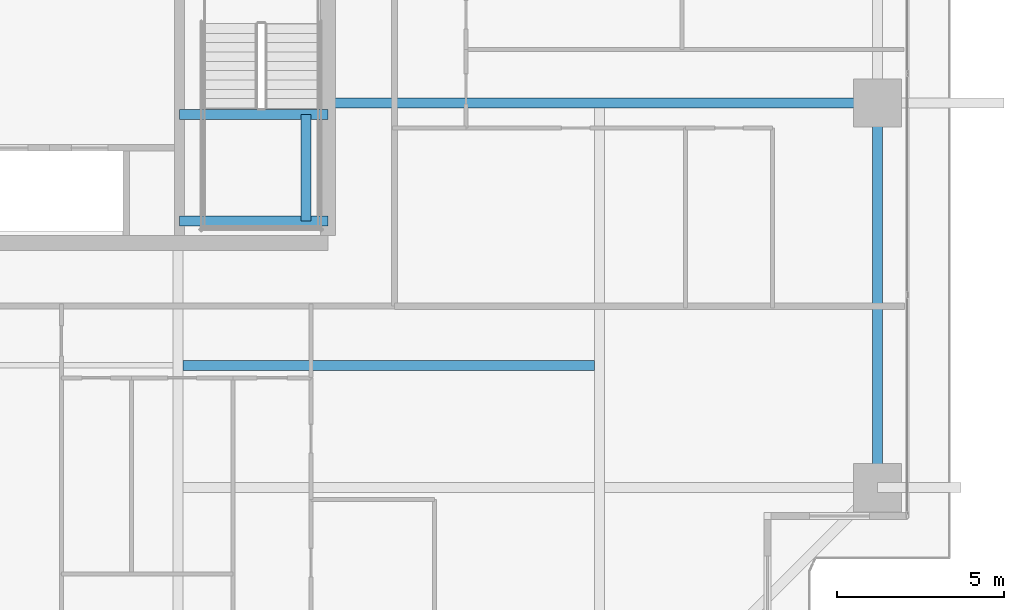
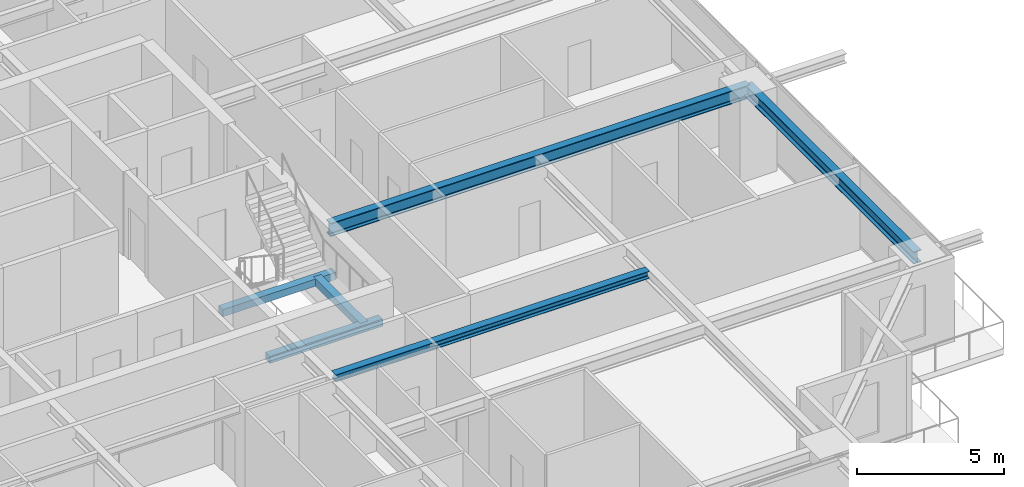
# One storey, part 14 of 41: 6 beams.
"""IFC4 building model written with IfcOpenShell, lengths in metres."""

from ifc_helpers import new_model, si_unit, direction, frame, origin, origin_2d, place, context, subcontext, project, spatial, rectangle, i_section, extrude, source, transform, mapped, material, material_profile, profile_set, type_object, element, save


model = new_model("IFC4")

# Units and contexts
model_context = context("Model", 3, precision=1e-05, world=origin(), true_north=direction((0.0, 1.0)))
body_context = subcontext(model_context, "Body", "Model", "MODEL_VIEW")
ifc_project = project(units=[si_unit("LENGTHUNIT", "METRE"), si_unit("AREAUNIT", "SQUARE_METRE"), si_unit("VOLUMEUNIT", "CUBIC_METRE"), si_unit("PLANEANGLEUNIT", "RADIAN"), si_unit("MASSUNIT", "GRAM", prefix="KILO")], contexts=[model_context])

# Site, building, storey
site_placement = place(None, origin())
site = spatial("IfcSite", under=ifc_project, at=site_placement, CompositionType="ELEMENT")
building_placement = place(site_placement, origin())
building = spatial("IfcBuilding", under=site, at=building_placement, Name="Serunith Strait Residences", CompositionType="ELEMENT")
storey_placement = place(building_placement, frame((0.0, 0.0, 75.449951171875)))
storey = spatial("IfcBuildingStorey", under=building, at=storey_placement, Name="L18", CompositionType="ELEMENT", Elevation=75.449951171875)

# Beams
ifc_material_1 = material(Name="Steel S355J2", Category="steel")
ifc_material_profile_1 = material_profile(ifc_material_1, i_section(OverallWidth=0.300048828125, OverallDepth=0.550048828125, WebThickness=0.014892578125, FlangeThickness=0.029052734375, FilletRadius=0.027099609375, at=origin_2d()), Name="HEB 550")
ifc_profile_set_1 = profile_set([ifc_material_profile_1], Name="Steel S355J2")
beam_type_1 = type_object("IfcBeamType", Name="BM-HEB550", PredefinedType="BEAM", material=ifc_profile_set_1)
shared_shape_1 = source(origin(), body_context, "Body", "SweptSolid", [
    extrude(i_section(OverallWidth=0.300048828125, OverallDepth=0.550048828125, WebThickness=0.014892578125, FlangeThickness=0.029052734375, FilletRadius=0.027099609375, at=origin_2d()), origin(), (0.0, 0.0, 1.0), 16.5),
])
beam_1_placement = place(storey_placement, frame((41.39990234375, 21.0, 3.212158203125), z_axis=(1.0, 0.0, 0.0), x_axis=(0.0, 1.0, 0.0)))
element("IfcBeam", 1, at=beam_1_placement, inside=storey, type_object=beam_type_1, Name="L18 Primary Floor Girder TC-E2", PredefinedType="BEAM", context=body_context, shape_type="MappedRepresentation", body=[
    mapped(shared_shape_1, transform((0.0, 0.0, 0.0), scale=1.0)),
])
ifc_material_profile_2 = material_profile(ifc_material_1, i_section(OverallWidth=0.300048828125, OverallDepth=0.5, WebThickness=0.014404296875, FlangeThickness=0.028076171875, FilletRadius=0.027099609375, at=origin_2d()), Name="HEB 500")
ifc_profile_set_2 = profile_set([ifc_material_profile_2], Name="Steel S355J2")
beam_type_2 = type_object("IfcBeamType", Name="BM-HEB500", PredefinedType="BEAM", material=ifc_profile_set_2)
shared_shape_2 = source(origin(), body_context, "Body", "SweptSolid", [
    extrude(i_section(OverallWidth=0.300048828125, OverallDepth=0.5, WebThickness=0.014404296875, FlangeThickness=0.028076171875, FilletRadius=0.027099609375, at=origin_2d()), origin(), (0.0, 0.0, 1.0), 11.550048828125),
])
beam_2_placement = place(storey_placement, frame((57.89990234375, 9.449951171875, 3.237060546875), z_axis=(0.0, 1.0, 0.0), x_axis=(-1.0, 0.0, 0.0)))
element("IfcBeam", 2, at=beam_2_placement, inside=storey, type_object=beam_type_2, Name="L18 Perimeter Ring Beam 05", PredefinedType="BEAM", context=body_context, shape_type="MappedRepresentation", body=[
    mapped(shared_shape_2, transform((0.0, 0.0, 0.0), scale=1.0)),
])
ifc_material_profile_3 = material_profile(ifc_material_1, i_section(OverallWidth=0.300048828125, OverallDepth=0.300048828125, WebThickness=0.010986328125, FlangeThickness=0.01904296875, FilletRadius=0.027099609375, at=origin_2d()), Name="HEB 300")
ifc_profile_set_3 = profile_set([ifc_material_profile_3], Name="Steel S355J2")
beam_type_3 = type_object("IfcBeamType", Name="BM-HEB300", PredefinedType="JOIST", material=ifc_profile_set_3)
shared_shape_3 = source(origin(), body_context, "Body", "SweptSolid", [
    extrude(i_section(OverallWidth=0.300048828125, OverallDepth=0.300048828125, WebThickness=0.010986328125, FlangeThickness=0.01904296875, FilletRadius=0.027099609375, at=origin_2d()), origin(), (0.0, 0.0, 1.0), 12.349853515625),
])
beam_3_placement = place(storey_placement, frame((37.050048828125, 13.125, 3.337158203125), z_axis=(1.0, 0.0, 0.0), x_axis=(0.0, 1.0, 0.0)))
element("IfcBeam", 3, at=beam_3_placement, inside=storey, type_object=beam_type_3, Name="L18 Composite Floor Joist 03", PredefinedType="JOIST", context=body_context, shape_type="MappedRepresentation", body=[
    mapped(shared_shape_3, transform((0.0, 0.0, 0.0), scale=1.0)),
])
ifc_material_2 = material(Name="Concrete C60/75", Category="concrete")
ifc_material_profile_4 = material_profile(ifc_material_2, rectangle(XDim=0.300048828125, YDim=0.300048828125, at=origin_2d()), Name="RC 300x300")
ifc_profile_set_4 = profile_set([ifc_material_profile_4], Name="Concrete C60/75")
beam_type_4 = type_object("IfcBeamType", Name="BM-LAND-300x300", PredefinedType="BEAM", material=ifc_profile_set_4)
shared_shape_4 = source(origin(), body_context, "Body", "SweptSolid", [
    extrude(rectangle(XDim=0.300048828125, YDim=0.300048828125, at=origin_2d()), origin(), (0.0, 0.0, 1.0), 3.199951171875),
])
beam_4_placement = place(storey_placement, frame((40.75, 17.449951171875, 1.525146484375), z_axis=(0.0, 1.0, 0.0), x_axis=(-1.0, 0.0, 0.0)))
element("IfcBeam", 4, at=beam_4_placement, inside=storey, type_object=beam_type_4, Name="L18 ST-2 Landing Transverse Tie Beam", PredefinedType="BEAM", context=body_context, shape_type="MappedRepresentation", body=[
    mapped(shared_shape_4, transform((0.0, 0.0, 0.0), scale=1.0)),
])
shared_shape_5 = source(origin(), body_context, "Body", "SweptSolid", [
    extrude(rectangle(XDim=0.300048828125, YDim=0.300048828125, at=origin_2d()), origin(), (0.0, 0.0, 1.0), 4.449951171875),
])
for number, where, z_axis, x_axis, name in (
    (5, (36.949951171875, 17.449951171875, 1.525146484375), (1.0, 0.0, 0.0), (0.0, 1.0, 0.0), "L18 ST-2 Landing Support Beam 1"),
    (6, (36.949951171875, 20.64990234375, 1.525146484375), (1.0, 0.0, 0.0), (0.0, 1.0, 0.0), "L18 ST-2 Landing Support Beam 2"),
):
    element("IfcBeam", number, at=place(storey_placement, frame(where, z_axis=z_axis, x_axis=x_axis)), inside=storey, type_object=beam_type_4, Name=name, PredefinedType="BEAM", context=body_context, shape_type="MappedRepresentation", body=[
        mapped(shared_shape_5, transform((0.0, 0.0, 0.0), scale=1.0)),
    ])

save(model, "model.ifc")
